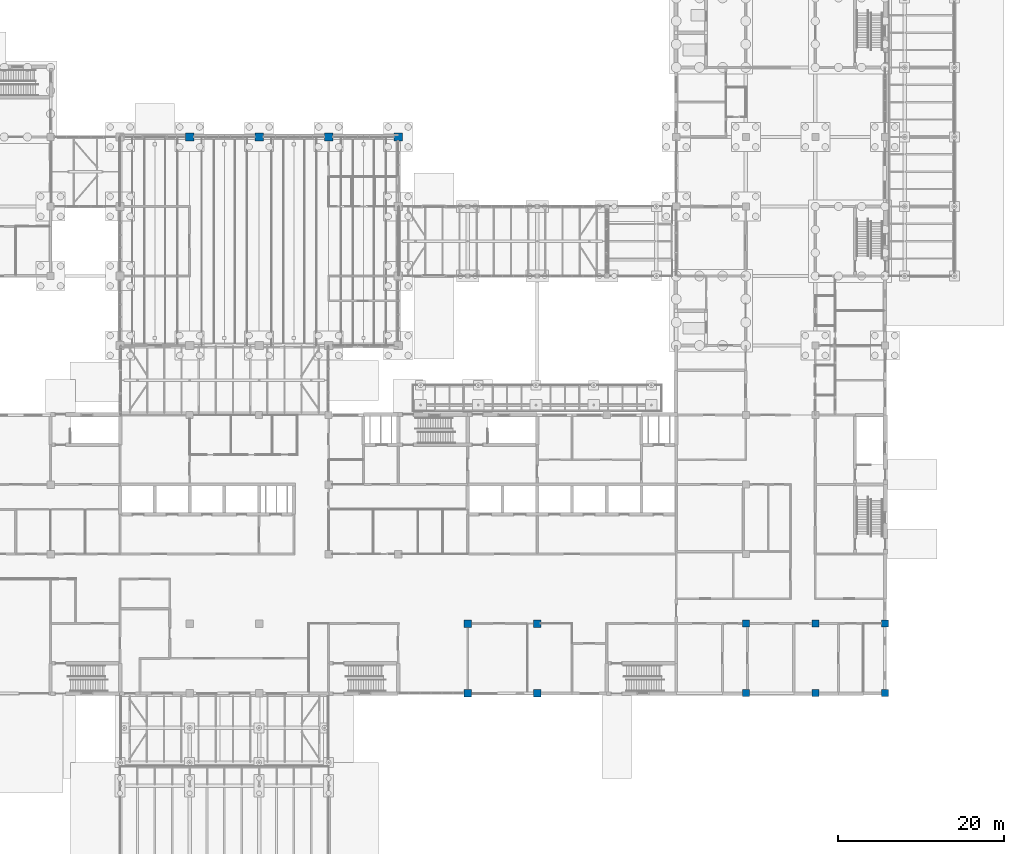
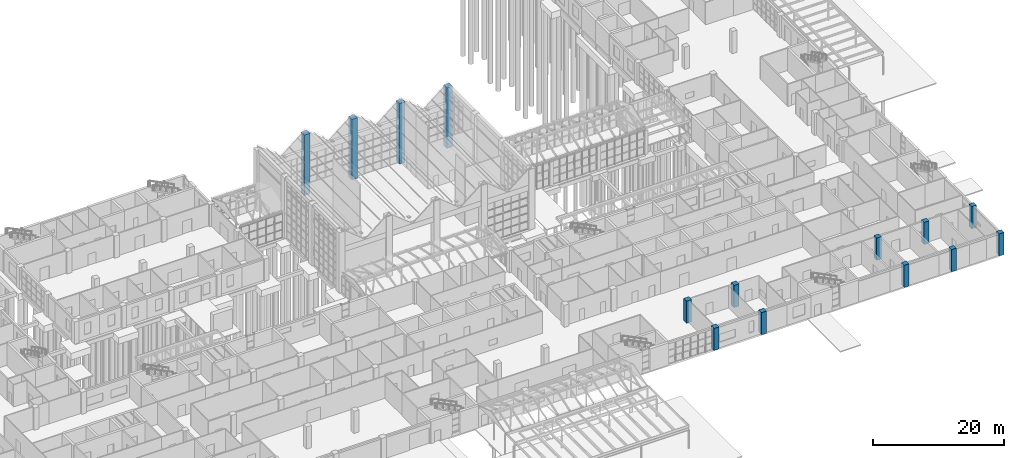
# One storey, part 18 of 138: 14 columns.
"""IFC4 building model written with IfcOpenShell, lengths in metres."""

from ifc_helpers import new_model, si_unit, direction, frame, origin, origin_2d, place, context, subcontext, project, spatial, rectangle, extrude, material, material_profile, profile_set, type_object, element, save


model = new_model("IFC4")

# Units and contexts
model_context = context("Model", 3, precision=1e-05, world=origin(), true_north=direction((0.0, 1.0)))
body_context = subcontext(model_context, "Body", "Model", "MODEL_VIEW")
ifc_project = project(units=[si_unit("LENGTHUNIT", "METRE"), si_unit("AREAUNIT", "SQUARE_METRE"), si_unit("VOLUMEUNIT", "CUBIC_METRE"), si_unit("PLANEANGLEUNIT", "RADIAN"), si_unit("MASSUNIT", "GRAM", prefix="KILO")], contexts=[model_context])

# Site, building, storey
site_placement = place(None, origin())
site = spatial("IfcSite", under=ifc_project, at=site_placement, CompositionType="ELEMENT")
building_placement = place(site_placement, origin())
building = spatial("IfcBuilding", under=site, at=building_placement, Name="Yavir Park General Hospital", CompositionType="ELEMENT")
storey_placement = place(building_placement, origin())
storey = spatial("IfcBuildingStorey", under=building, at=storey_placement, Name="L00", CompositionType="ELEMENT", Elevation=0.0)

# Columns
ifc_material_1 = material(Name="Concrete C40/50", Category="concrete")
ifc_material_profile_1 = material_profile(ifc_material_1, rectangle(XDim=1.0, YDim=1.0, at=origin_2d()), Name="RC1000x1000")
ifc_profile_set_1 = profile_set([ifc_material_profile_1], Name="Concrete C40/50")
column_type_1 = type_object("IfcColumnType", Name="RC COLUMN 1000x1000", PredefinedType="COLUMN", material=ifc_profile_set_1)
for number, where, z_axis, x_axis, name in (
    (1, (84.0, 67.199951171875, 0.0), (0.0, 0.0, 1.0), (1.0, 0.0, 0.0), "C:L00:11J"),
    (2, (92.39990234375, 67.199951171875, 0.0), (0.0, 0.0, 1.0), (1.0, 0.0, 0.0), "C:L00:12J"),
    (3, (100.800048828125, 67.199951171875, 0.0), (0.0, 0.0, 1.0), (1.0, 0.0, 0.0), "C:L00:13J"),
    (4, (109.199951171875, 67.199951171875, 0.0), (0.0, 0.0, 1.0), (1.0, 0.0, 0.0), "C:L00:14J"),
):
    element("IfcColumn", number, at=place(storey_placement, frame(where, z_axis=z_axis, x_axis=x_axis)), inside=storey, type_object=column_type_1, Name=name, PredefinedType="COLUMN", context=body_context, shape_type="SweptSolid", body=[
        extrude(rectangle(XDim=1.0, YDim=1.0, at=origin_2d()), origin(), (0.0, 0.0, 1.0), 11.31201171875),
    ])
ifc_material_2 = material(Name="Concrete C40/50", Category="concrete")
ifc_material_profile_2 = material_profile(ifc_material_2, rectangle(XDim=0.85009765625, YDim=0.85009765625, at=origin_2d()), Name="RC850x850")
ifc_profile_set_2 = profile_set([ifc_material_profile_2], Name="Concrete C40/50")
column_type_2 = type_object("IfcColumnType", Name="RC COLUMN 850x850", PredefinedType="COLUMN", material=ifc_profile_set_2)
for number, where, z_axis, x_axis, name in (
    (5, (151.199951171875, 0.0, 0.0), (0.0, 0.0, 1.0), (1.0, 0.0, 0.0), "C:L00:19A"),
    (6, (159.60009765625, 0.0, 0.0), (0.0, 0.0, 1.0), (1.0, 0.0, 0.0), "C:L00:20A"),
    (7, (168.0, 0.0, 0.0), (0.0, 0.0, 1.0), (1.0, 0.0, 0.0), "C:L00:21A"),
    (8, (151.199951171875, 8.39990234375, 0.0), (0.0, 0.0, 1.0), (1.0, 0.0, 0.0), "C:L00:19B"),
    (9, (159.60009765625, 8.39990234375, 0.0), (0.0, 0.0, 1.0), (1.0, 0.0, 0.0), "C:L00:20B"),
    (10, (168.0, 8.39990234375, 0.0), (0.0, 0.0, 1.0), (1.0, 0.0, 0.0), "C:L00:21B"),
):
    element("IfcColumn", number, at=place(storey_placement, frame(where, z_axis=z_axis, x_axis=x_axis)), inside=storey, type_object=column_type_2, Name=name, PredefinedType="COLUMN", context=body_context, shape_type="SweptSolid", body=[
        extrude(rectangle(XDim=0.85009765625, YDim=0.85009765625, at=origin_2d()), origin(), (0.0, 0.0, 1.0), 4.139892578125),
    ])
ifc_material_3 = material(Name="Concrete C40/50", Category="concrete")
ifc_material_profile_3 = material_profile(ifc_material_3, rectangle(XDim=0.89990234375, YDim=0.89990234375, at=origin_2d()), Name="RC900x900")
ifc_profile_set_3 = profile_set([ifc_material_profile_3], Name="Concrete C40/50")
column_type_3 = type_object("IfcColumnType", Name="RC COLUMN 900x900", PredefinedType="COLUMN", material=ifc_profile_set_3)
for number, where, z_axis, x_axis, name in (
    (11, (117.60009765625, 0.0, 0.0), (0.0, 0.0, 1.0), (1.0, 0.0, 0.0), "C:L00:15A"),
    (12, (126.0, 0.0, 0.0), (0.0, 0.0, 1.0), (1.0, 0.0, 0.0), "C:L00:16A"),
    (13, (117.60009765625, 8.39990234375, 0.0), (0.0, 0.0, 1.0), (1.0, 0.0, 0.0), "C:L00:15B"),
    (14, (126.0, 8.39990234375, 0.0), (0.0, 0.0, 1.0), (1.0, 0.0, 0.0), "C:L00:16B"),
):
    element("IfcColumn", number, at=place(storey_placement, frame(where, z_axis=z_axis, x_axis=x_axis)), inside=storey, type_object=column_type_3, Name=name, PredefinedType="COLUMN", context=body_context, shape_type="SweptSolid", body=[
        extrude(rectangle(XDim=0.89990234375, YDim=0.89990234375, at=origin_2d()), origin(), (0.0, 0.0, 1.0), 4.139892578125),
    ])

save(model, "model.ifc")
